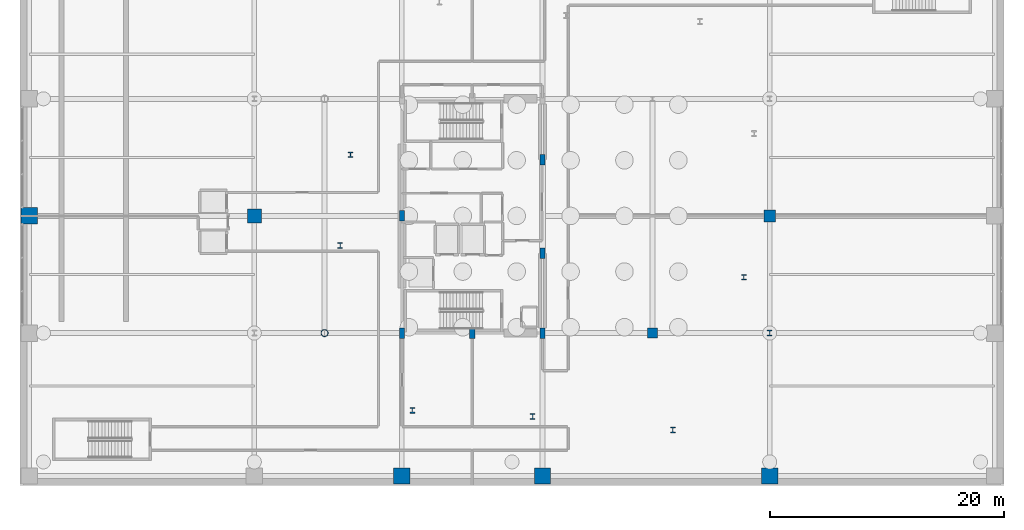
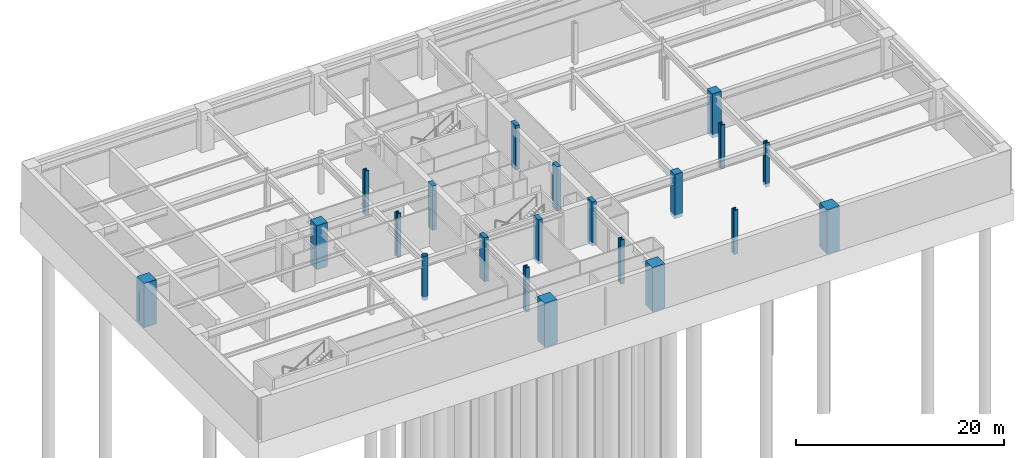
# One storey, part 2 of 25: 21 columns.
"""IFC4 building model written with IfcOpenShell, lengths in metres."""

from ifc_helpers import new_model, si_unit, direction, frame, origin, origin_2d, place, context, subcontext, project, spatial, rectangle, hollow_circle, i_section, extrude, material, material_profile, profile_set, type_object, element, save


model = new_model("IFC4")

# Units and contexts
model_context = context("Model", 3, precision=1e-05, world=origin(), true_north=direction((0.0, 1.0)))
body_context = subcontext(model_context, "Body", "Model", "MODEL_VIEW")
ifc_project = project(units=[si_unit("LENGTHUNIT", "METRE"), si_unit("AREAUNIT", "SQUARE_METRE"), si_unit("VOLUMEUNIT", "CUBIC_METRE"), si_unit("PLANEANGLEUNIT", "RADIAN"), si_unit("MASSUNIT", "GRAM", prefix="KILO")], contexts=[model_context])

# Site, building, storey
site_placement = place(None, origin())
site = spatial("IfcSite", under=ifc_project, at=site_placement, CompositionType="ELEMENT")
building_placement = place(site_placement, origin())
building = spatial("IfcBuilding", under=site, at=building_placement, Name="Soratama Intermodal Tower", CompositionType="ELEMENT")
storey_placement = place(building_placement, frame((0.0, 0.0, -10.199951171875)))
storey = spatial("IfcBuildingStorey", under=building, at=storey_placement, Name="B2", CompositionType="ELEMENT", Elevation=-10.199951171875)

# Columns
ifc_material_1 = material(Name="Concrete f'c 56 MPa", Category="concrete")
ifc_material_profile_1 = material_profile(ifc_material_1, rectangle(XDim=1.39990234375, YDim=1.39990234375, at=origin_2d()), Name="RC1400X1400")
ifc_profile_set_1 = profile_set([ifc_material_profile_1], Name="Concrete f'c 56 MPa")
column_type_1 = type_object("IfcColumnType", Name="COL-POD-EXT-RC1400", PredefinedType="COLUMN", material=ifc_profile_set_1)
for number, where, z_axis, x_axis, name in (
    (1, (64.0, 2.800048828125, -0.400146484375), (0.0, 0.0, 1.0), (1.0, 0.0, 0.0), "B2 Station Column P03"),
    (2, (0.800048828125, 25.0, -0.400146484375), (0.0, 0.0, 1.0), (1.0, 0.0, 0.0), "B2 Station Column P17"),
    (3, (32.60009765625, 2.800048828125, -0.400146484375), (0.0, 0.0, 1.0), (1.0, 0.0, 0.0), "B2 Station Column P21"),
    (4, (44.60009765625, 2.800048828125, -0.400146484375), (0.0, 0.0, 1.0), (1.0, 0.0, 0.0), "B2 Station Column P22"),
):
    element("IfcColumn", number, at=place(storey_placement, frame(where, z_axis=z_axis, x_axis=x_axis)), inside=storey, type_object=column_type_1, Name=name, PredefinedType="COLUMN", context=body_context, shape_type="SweptSolid", body=[
        extrude(rectangle(XDim=1.39990234375, YDim=1.39990234375, at=origin_2d()), origin(), (0.0, 0.0, 1.0), 5.2001953125),
    ])
ifc_material_2 = material(Name="Concrete f'c 56 MPa", Category="concrete")
ifc_material_profile_2 = material_profile(ifc_material_2, rectangle(XDim=1.0, YDim=1.0, at=origin_2d()), Name="RC1000X1000")
ifc_profile_set_2 = profile_set([ifc_material_profile_2], Name="Concrete f'c 56 MPa")
column_type_2 = type_object("IfcColumnType", Name="COL-POD-RC1000", PredefinedType="COLUMN", material=ifc_profile_set_2)
column_1_placement = place(storey_placement, frame((64.0, 25.0, -0.400146484375), z_axis=(0.0, 0.0, 1.0), x_axis=(1.0, 0.0, 0.0)))
element("IfcColumn", 5, at=column_1_placement, inside=storey, type_object=column_type_2, Name="B2 Station Column P19", PredefinedType="COLUMN", context=body_context, shape_type="SweptSolid", body=[
    extrude(rectangle(XDim=1.0, YDim=1.0, at=origin_2d()), origin(), (0.0, 0.0, 1.0), 5.2001953125),
])
ifc_material_3 = material(Name="Concrete f'c 56 MPa", Category="concrete")
ifc_material_profile_3 = material_profile(ifc_material_3, rectangle(XDim=1.199951171875, YDim=1.199951171875, at=origin_2d()), Name="RC1200X1200")
ifc_profile_set_3 = profile_set([ifc_material_profile_3], Name="Concrete f'c 56 MPa")
column_type_3 = type_object("IfcColumnType", Name="COL-POD-RC1200", PredefinedType="COLUMN", material=ifc_profile_set_3)
column_2_placement = place(storey_placement, frame((20.0, 25.0, -0.400146484375), z_axis=(0.0, 0.0, 1.0), x_axis=(1.0, 0.0, 0.0)))
element("IfcColumn", 6, at=column_2_placement, inside=storey, type_object=column_type_3, Name="B2 Station Column P18", PredefinedType="COLUMN", context=body_context, shape_type="SweptSolid", body=[
    extrude(rectangle(XDim=1.199951171875, YDim=1.199951171875, at=origin_2d()), origin(), (0.0, 0.0, 1.0), 5.2001953125),
])
ifc_material_4 = material(Name="Concrete f'c 56 MPa", Category="concrete")
ifc_material_profile_4 = material_profile(ifc_material_4, rectangle(XDim=0.85009765625, YDim=0.85009765625, at=origin_2d()), Name="RC850X850")
ifc_profile_set_4 = profile_set([ifc_material_profile_4], Name="Concrete f'c 56 MPa")
column_type_4 = type_object("IfcColumnType", Name="COL-POD-RC850", PredefinedType="COLUMN", material=ifc_profile_set_4)
column_3_placement = place(storey_placement, frame((54.0, 15.0, -0.400146484375), z_axis=(0.0, 0.0, 1.0), x_axis=(1.0, 0.0, 0.0)))
element("IfcColumn", 7, at=column_3_placement, inside=storey, type_object=column_type_4, Name="B2 Station Column P25", PredefinedType="COLUMN", context=body_context, shape_type="SweptSolid", body=[
    extrude(rectangle(XDim=0.85009765625, YDim=0.85009765625, at=origin_2d()), origin(), (0.0, 0.0, 1.0), 5.2001953125),
])
ifc_material_5 = material(Name="Structural steel ASTM A992 Grade 50", Category="steel")
ifc_material_profile_5 = material_profile(ifc_material_5, i_section(OverallWidth=0.431884765625, OverallDepth=0.498046875, WebThickness=0.0556640625, FlangeThickness=0.0888671875, FilletRadius=0.0380859375, at=origin_2d()), Name="W14X500")
ifc_profile_set_5 = profile_set([ifc_material_profile_5], Name="Structural steel ASTM A992 Grade 50")
column_type_5 = type_object("IfcColumnType", Name="COL-POD-W14X500", PredefinedType="COLUMN", material=ifc_profile_set_5)
for number, where, z_axis, x_axis, name in (
    (8, (64.0, 15.0, -0.400146484375), (0.0, 0.0, 1.0), (1.0, 0.0, 0.0), "B2 Station Column P07"),
    (9, (28.208984375, 30.22705078125, -0.400146484375), (0.0, 0.0, 1.0), (1.0, 0.0, 0.0), "B2 Station Column P33"),
    (10, (27.3310546875, 22.47509765625, -0.400146484375), (0.0, 0.0, 1.0), (1.0, 0.0, 0.0), "B2 Station Column P34"),
    (11, (33.498046875, 8.405029296875, -0.400146484375), (0.0, 0.0, 1.0), (1.0, 0.0, 0.0), "B2 Station Column P35"),
    (12, (43.759033203125, 7.883056640625, -0.400146484375), (0.0, 0.0, 1.0), (1.0, 0.0, 0.0), "B2 Station Column P36"),
    (13, (55.73388671875, 6.735107421875, -0.400146484375), (0.0, 0.0, 1.0), (1.0, 0.0, 0.0), "B2 Station Column P37"),
    (14, (61.791015625, 19.77294921875, -0.400146484375), (0.0, 0.0, 1.0), (1.0, 0.0, 0.0), "B2 Station Column P38"),
):
    element("IfcColumn", number, at=place(storey_placement, frame(where, z_axis=z_axis, x_axis=x_axis)), inside=storey, type_object=column_type_5, Name=name, PredefinedType="COLUMN", context=body_context, shape_type="SweptSolid", body=[
        extrude(i_section(OverallWidth=0.431884765625, OverallDepth=0.498046875, WebThickness=0.0556640625, FlangeThickness=0.0888671875, FilletRadius=0.0380859375, at=origin_2d()), origin(), (0.0, 0.0, 1.0), 5.2001953125),
    ])
ifc_material_6 = material(Name="Structural steel ASTM A500 Grade C", Category="steel")
ifc_material_profile_6 = material_profile(ifc_material_6, hollow_circle(Radius=0.304931640625, WallThickness=0.02197265625, at=origin_2d()), Name="CHS610X22")
ifc_profile_set_6 = profile_set([ifc_material_profile_6], Name="Structural steel ASTM A500 Grade C")
column_type_6 = type_object("IfcColumnType", Name="COL-POOL-CHS610", PredefinedType="COLUMN", material=ifc_profile_set_6)
column_4_placement = place(storey_placement, frame((26.0, 15.0, -0.400146484375), z_axis=(0.0, 0.0, 1.0), x_axis=(1.0, 0.0, 0.0)))
element("IfcColumn", 15, at=column_4_placement, inside=storey, type_object=column_type_6, Name="B2 Station Column P27", PredefinedType="COLUMN", context=body_context, shape_type="SweptSolid", body=[
    extrude(hollow_circle(Radius=0.304931640625, WallThickness=0.02197265625, at=origin_2d()), origin(), (0.0, 0.0, 1.0), 5.2001953125),
])
ifc_material_7 = material(Name="Concrete f'c 56 MPa", Category="concrete")
ifc_material_profile_7 = material_profile(ifc_material_7, rectangle(XDim=0.449951171875, YDim=0.89990234375, at=origin_2d()), Name="RC450X900")
ifc_profile_set_7 = profile_set([ifc_material_profile_7], Name="Concrete f'c 56 MPa")
column_type_7 = type_object("IfcColumnType", Name="PIL-CORE-450X900", PredefinedType="PILASTER", material=ifc_profile_set_7)
for number, where, z_axis, x_axis, name in (
    (16, (32.60009765625, 15.0, -0.400146484375), (0.0, 0.0, 1.0), (1.0, 0.0, 0.0), "B2 Core Pilaster 1"),
    (17, (32.60009765625, 25.0, -0.400146484375), (0.0, 0.0, 1.0), (1.0, 0.0, 0.0), "B2 Core Pilaster 2"),
    (18, (38.60009765625, 15.0, -0.400146484375), (0.0, 0.0, 1.0), (1.0, 0.0, 0.0), "B2 Core Pilaster 4"),
    (19, (44.60009765625, 15.0, -0.400146484375), (0.0, 0.0, 1.0), (1.0, 0.0, 0.0), "B2 Core Pilaster 6"),
    (20, (44.60009765625, 21.800048828125, -0.400146484375), (0.0, 0.0, 1.0), (1.0, 0.0, 0.0), "B2 Core Pilaster 7"),
    (21, (44.60009765625, 29.800048828125, -0.400146484375), (0.0, 0.0, 1.0), (1.0, 0.0, 0.0), "B2 Core Pilaster 8"),
):
    element("IfcColumn", number, at=place(storey_placement, frame(where, z_axis=z_axis, x_axis=x_axis)), inside=storey, type_object=column_type_7, Name=name, PredefinedType="PILASTER", context=body_context, shape_type="SweptSolid", body=[
        extrude(rectangle(XDim=0.449951171875, YDim=0.89990234375, at=origin_2d()), origin(), (0.0, 0.0, 1.0), 5.2001953125),
    ])

save(model, "model.ifc")
